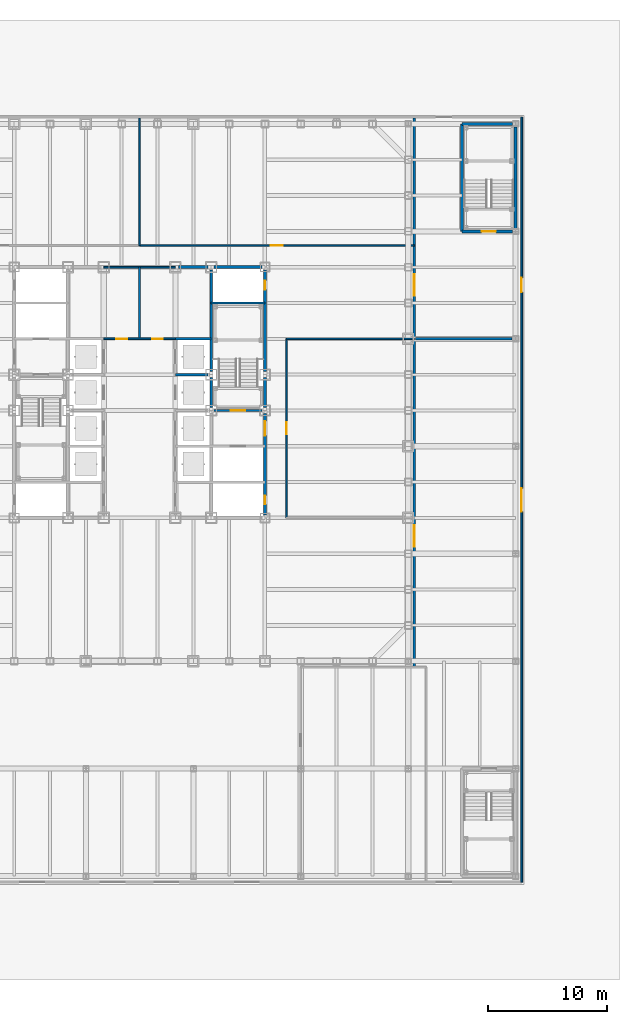
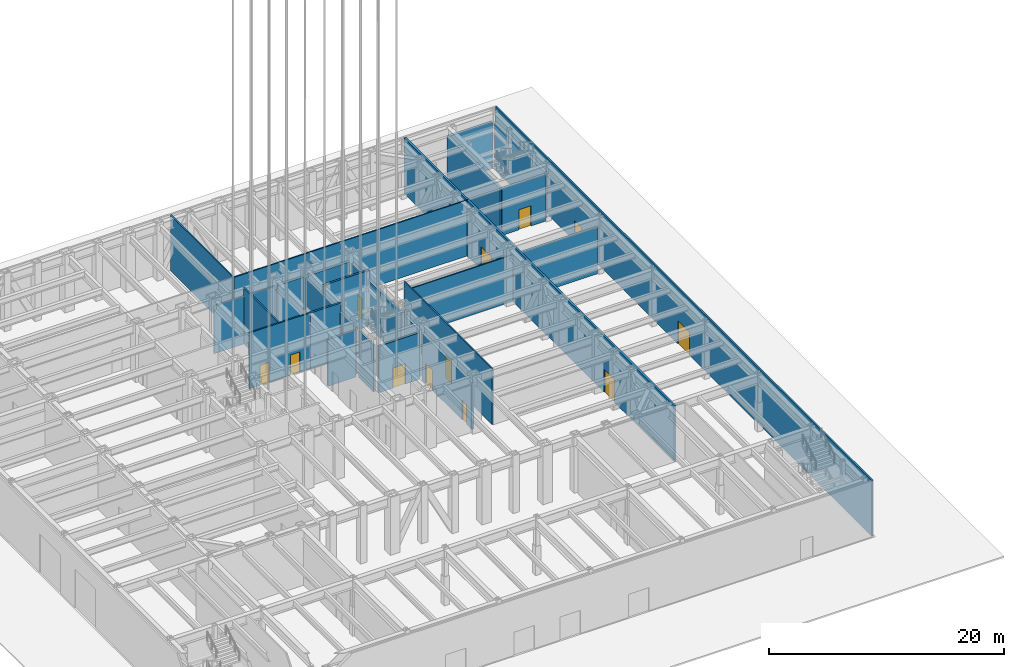
# One storey, part 9 of 35: 25 walls, 13 doors, 13 openings.
"""IFC4 building model written with IfcOpenShell, lengths in metres."""

import ifcopenshell
import ifcopenshell.guid

model = None  # the IFC model being written
_history = None  # IfcOwnerHistory: only IFC2X3 demands one
_inside = {}  # id of a spatial element -> (the spatial element, [elements in it])
_under = {}  # id of a project, library or spatial element -> (it, [spatial elements below it])
_declared = {}  # id of a project -> (the project, [libraries it declares])
_typed = {}  # id of a type object -> (the type object, [elements of that type])
_made_of = {}  # id of a material, layer set ... -> (it, [elements and type objects made of it])


def new_model(schema):
    """Start an empty IFC model of exactly this schema.

    Asked for "IFC4X3", IfcOpenShell would pick the latest addendum, in which some entities
    have other attributes; the version numbers below select the first issue.
    IFC2X3 requires an IfcOwnerHistory on every rooted entity: one is made here for all.
    """
    global model, _history
    if schema == "IFC4X3":
        model = ifcopenshell.file(schema_version=(4, 3, 0, 0))
    else:
        model = ifcopenshell.file(schema=schema)
    _inside.clear()
    _under.clear()
    _declared.clear()
    _typed.clear()
    _made_of.clear()
    _history = None
    if model.schema == "IFC2X3":
        org = make("IfcOrganization", Name="unknown")
        user = make(
            "IfcPersonAndOrganization",
            ThePerson=make("IfcPerson", FamilyName="unknown"),
            TheOrganization=org,
        )
        app = make(
            "IfcApplication",
            ApplicationDeveloper=org,
            Version="unknown",
            ApplicationFullName="unknown",
            ApplicationIdentifier="unknown",
        )
        _history = make(
            "IfcOwnerHistory",
            OwningUser=user,
            OwningApplication=app,
            ChangeAction="ADDED",
            CreationDate=0,
        )
    return model


def make(cls, **values):
    """One entity of the class cls with the attributes given. An attribute that is None is left unset."""
    return model.create_entity(
        cls, **{name: value for name, value in values.items() if value is not None}
    )


def rooted(cls, **values):
    """An entity with a GlobalId (a new one), such as an element, a storey or a relation."""
    return make(cls, GlobalId=ifcopenshell.guid.new(), OwnerHistory=_history, **values)


def si_unit(unit_type, name, prefix=None):
    """IfcSIUnit, for example si_unit("LENGTHUNIT", "METRE", prefix="MILLI")."""
    return make("IfcSIUnit", UnitType=unit_type, Prefix=prefix, Name=name)


def assignment(units):
    """IfcUnitAssignment: the units of a project."""
    return None if units is None else make("IfcUnitAssignment", Units=units)


def point(xyz):
    """IfcCartesianPoint."""
    return None if xyz is None else make("IfcCartesianPoint", Coordinates=xyz)


def direction(xyz):
    """IfcDirection."""
    return None if xyz is None else make("IfcDirection", DirectionRatios=xyz)


def frame(location, z_axis=None, x_axis=None):
    """IfcAxis2Placement3D, a coordinate frame: its origin and axes. An axis left out is left unset."""
    return make(
        "IfcAxis2Placement3D",
        Location=point(location),
        Axis=direction(z_axis),
        RefDirection=direction(x_axis),
    )


def frame_2d(location, x_axis=None):
    """IfcAxis2Placement2D, a coordinate frame in the plane: its origin and x axis."""
    return make(
        "IfcAxis2Placement2D", Location=point(location), RefDirection=direction(x_axis)
    )


def origin():
    """The frame at (0, 0, 0) with its axes left unset."""
    return frame((0.0, 0.0, 0.0))


def place(relative_to, where):
    """IfcLocalPlacement: puts the frame where relative to a parent placement (None: the world)."""
    return make(
        "IfcLocalPlacement", PlacementRelTo=relative_to, RelativePlacement=where
    )


def context(
    kind, dimensions, precision=None, world=None, true_north=None, identifier=None
):
    """IfcGeometricRepresentationContext, for example the 3D "Model" context."""
    return make(
        "IfcGeometricRepresentationContext",
        ContextIdentifier=identifier,
        ContextType=kind,
        CoordinateSpaceDimension=dimensions,
        Precision=precision,
        WorldCoordinateSystem=world,
        TrueNorth=true_north,
    )


def subcontext(parent, identifier, kind, view, scale=None):
    """IfcGeometricRepresentationSubContext, for example "Body" below "Model"."""
    return make(
        "IfcGeometricRepresentationSubContext",
        ContextIdentifier=identifier,
        ContextType=kind,
        ParentContext=parent,
        TargetScale=scale,
        TargetView=view,
    )


def project(units=None, contexts=None):
    """IfcProject with its units and contexts."""
    return rooted(
        "IfcProject",
        Name="project",
        RepresentationContexts=contexts,
        UnitsInContext=assignment(units),
    )


def spatial(cls, under=None, at=None, **own):
    """A site, building, storey or space (cls), placed at a placement, below another one or the project."""
    s = rooted(cls, ObjectPlacement=at, **own)
    if under is not None:
        _under.setdefault(under.id(), (under, []))[1].append(s)
    return s


def profile(cls, at=None, kind="AREA", **sizes):
    """A parametric profile (cls). Its sizes go by their IFC names, for example OverallWidth=200.0."""
    return make(cls, ProfileType=kind, Position=at, **sizes)


def rectangle(**sizes):
    """IfcRectangleProfileDef."""
    return profile("IfcRectangleProfileDef", **sizes)


def extrude(swept, where, along, depth):
    """IfcExtrudedAreaSolid: the profile swept, set in the frame where, extruded along a direction by depth."""
    return make(
        "IfcExtrudedAreaSolid",
        SweptArea=swept,
        Position=where,
        ExtrudedDirection=direction(along),
        Depth=depth,
    )


def shape(context_of_items, identifier, shape_type, items):
    """IfcShapeRepresentation: the items that make up one representation, for example the "Body"."""
    return make(
        "IfcShapeRepresentation",
        ContextOfItems=context_of_items,
        RepresentationIdentifier=identifier,
        RepresentationType=shape_type,
        Items=items,
    )


def material(Name=None, Category=None):
    """IfcMaterial."""
    return make("IfcMaterial", Name=Name, Category=Category)


def layer(
    of_material, thickness, ventilated=None, Name=None, Category=None, Priority=None
):
    """IfcMaterialLayer: one layer of a wall or slab, of a material (None: an air gap)."""
    return make(
        "IfcMaterialLayer",
        Material=of_material,
        LayerThickness=thickness,
        IsVentilated=ventilated,
        Name=Name,
        Category=Category,
        Priority=Priority,
    )


def layer_set(layers, Name=None):
    """IfcMaterialLayerSet."""
    return make("IfcMaterialLayerSet", MaterialLayers=layers, LayerSetName=Name)


def made_of(thing, what):
    """Note that an element or type object is made of a material, layer set ...; save() writes the relation."""
    if what is not None:
        _made_of.setdefault(what.id(), (what, []))[1].append(thing)
    return thing


def type_object(cls, material=None, **own):
    """A type object (cls), such as IfcWallType, which elements share."""
    return made_of(rooted(cls, **own), material)


def element(
    cls,
    number,
    at=None,
    inside=None,
    cuts=None,
    type_object=None,
    material=None,
    context=None,
    identifier="Body",
    shape_type=None,
    held_by="IfcProductDefinitionShape",
    body=None,
    shapes=None,
    **own,
):
    """One element of the class cls, such as IfcWall. Its Tag is "e" and its number.

    at: its placement. inside: the storey or other place that contains it. cuts: it is an
    opening in that element (IfcRelVoidsElement). A single representation is given by context,
    identifier, shape_type and body (its items); several are given by shapes. held_by: the class
    of the entity that holds the representations. save() writes the other relations.
    """
    e = rooted(cls, Tag="e%d" % number, ObjectPlacement=at, **own)
    if body is not None:
        shapes = [shape(context, identifier, shape_type, body)]
    if shapes is not None:
        e.Representation = make(held_by, Representations=shapes)
    if inside is not None:
        _inside.setdefault(inside.id(), (inside, []))[1].append(e)
    if cuts is not None:
        rooted(
            "IfcRelVoidsElement", RelatingBuildingElement=cuts, RelatedOpeningElement=e
        )
    if type_object is not None:
        _typed.setdefault(type_object.id(), (type_object, []))[1].append(e)
    return made_of(e, material)


def fill(opening, filler):
    """IfcRelFillsElement: the door or window that sits in an opening."""
    return rooted(
        "IfcRelFillsElement",
        RelatingOpeningElement=opening,
        RelatedBuildingElement=filler,
    )


def aggregate(whole, parts):
    """IfcRelAggregates: a whole, such as a stair, and the parts it consists of."""
    return rooted("IfcRelAggregates", RelatingObject=whole, RelatedObjects=parts)


def save(model, path):
    """Write the relations noted so far, then the file.

    IfcRelAggregates (storeys below a building ...), IfcRelContainedInSpatialStructure (elements
    in a storey), IfcRelDefinesByType, IfcRelAssociatesMaterial and IfcRelDeclares: one each for
    every whole, place, type object, material and project.
    """
    for whole, parts in _under.values():
        aggregate(whole, parts)
    for where, things in _inside.values():
        rooted(
            "IfcRelContainedInSpatialStructure",
            RelatedElements=things,
            RelatingStructure=where,
        )
    for kind, things in _typed.values():
        rooted("IfcRelDefinesByType", RelatedObjects=things, RelatingType=kind)
    for what, things in _made_of.values():
        rooted("IfcRelAssociatesMaterial", RelatedObjects=things, RelatingMaterial=what)
    for by, libraries in _declared.values():
        rooted("IfcRelDeclares", RelatingContext=by, RelatedDefinitions=libraries)
    model.write(path)


model = new_model("IFC4")

# Units and contexts
model_context = context("Model", 3, precision=1e-05, world=origin(), true_north=direction((0.0, 1.0)))
body_context = subcontext(model_context, "Body", "Model", "MODEL_VIEW")
ifc_project = project(units=[si_unit("LENGTHUNIT", "METRE"), si_unit("AREAUNIT", "SQUARE_METRE"), si_unit("VOLUMEUNIT", "CUBIC_METRE"), si_unit("PLANEANGLEUNIT", "RADIAN"), si_unit("MASSUNIT", "GRAM", prefix="KILO")], contexts=[model_context])

# Site, building, storey
site_placement = place(None, origin())
site = spatial("IfcSite", under=ifc_project, at=site_placement, CompositionType="ELEMENT")
building_placement = place(site_placement, origin())
building = spatial("IfcBuilding", under=site, at=building_placement, Name="Chuquiago Exchange Tower", CompositionType="ELEMENT")
storey_placement = place(building_placement, origin())
storey = spatial("IfcBuildingStorey", under=building, at=storey_placement, Name="L00", CompositionType="ELEMENT", Elevation=0.0)

# Walls
ifc_material_1 = material(Name="Concrete masonry, fully grouted", Category="masonry")
ifc_layer_1 = layer(ifc_material_1, 0.25)
ifc_layer_set_1 = layer_set([ifc_layer_1], Name="W1 core wall 250")
wall_type_1 = type_object("IfcWallType", Name="W1 core wall 250", PredefinedType="SOLIDWALL", material=ifc_layer_set_1)
wall_1_placement = place(storey_placement, frame((25.75, 33.0, 0.0), z_axis=(0.0, 0.0, 1.0), x_axis=(1.0, 0.0, 0.0)))
element("IfcWall", 1, at=wall_1_placement, inside=storey, type_object=wall_type_1, Name="CW-L00-12-0", PredefinedType="SOLIDWALL", context=body_context, shape_type="SweptSolid", body=[
    extrude(rectangle(XDim=2.5, YDim=0.25, at=frame_2d((1.25, 0.0))), origin(), (0.0, 0.0, 1.0), 4.94140625),
])
wall_2_placement = place(storey_placement, frame((28.75, 33.0, 0.0), z_axis=(0.0, 0.0, 1.0), x_axis=(1.0, 0.0, 0.0)))
element("IfcWall", 2, at=wall_2_placement, inside=storey, type_object=wall_type_1, Name="CW-L00-12-1", PredefinedType="SOLIDWALL", context=body_context, shape_type="SweptSolid", body=[
    extrude(rectangle(XDim=4.0, YDim=0.25, at=frame_2d((2.0, 0.0))), origin(), (0.0, 0.0, 1.0), 4.94140625),
])

# Wall, openings, doors
wall_3_placement = place(storey_placement, frame((33.0, 12.25, 0.0), z_axis=(0.0, 0.0, 1.0), x_axis=(0.0, 1.0, 0.0)))
wall_3 = element("IfcWall", 3, at=wall_3_placement, inside=storey, type_object=wall_type_1, Name="CW-L00-25-0", PredefinedType="SOLIDWALL", context=body_context, shape_type="SweptSolid", body=[
    extrude(rectangle(XDim=8.5, YDim=0.25, at=frame_2d((4.25, 0.0))), origin(), (0.0, 0.0, 1.0), 4.872802734375),
])
opening_1_placement = place(wall_3_placement, frame((6.64990234375, 0.0, 0.0)))
opening_1 = element("IfcOpeningElement", 4, at=opening_1_placement, cuts=wall_3, Name="Opening L00-004", PredefinedType="OPENING", context=body_context, shape_type="SweptSolid", body=[
    extrude(rectangle(XDim=1.199951171875, YDim=2.10009765625, at=frame_2d((0.60009765625, 1.050048828125))), frame((0.0, 0.135009765625, 0.0), z_axis=(0.0, -1.0, 0.0), x_axis=(1.0, 0.0, 0.0)), (0.0, 0.0, 1.0), 0.27001953125),
])
opening_2_placement = place(wall_3_placement, frame((0.875, 0.0, 0.0)))
opening_2 = element("IfcOpeningElement", 5, at=opening_2_placement, cuts=wall_3, Name="Opening L00-009", PredefinedType="OPENING", context=body_context, shape_type="SweptSolid", body=[
    extrude(rectangle(XDim=0.75, YDim=2.10009765625, at=frame_2d((0.375, 1.050048828125))), frame((0.0, 0.135009765625, 0.0), z_axis=(0.0, -1.0, 0.0), x_axis=(1.0, 0.0, 0.0)), (0.0, 0.0, 1.0), 0.27001953125),
])
ifc_material_2 = material(Name="Steel door, painted", Category="steel")
door_type_1 = type_object("IfcDoorType", Name="D5 firefighting lobby door 1200x2100", OperationType="SINGLE_SWING_LEFT", PredefinedType="DOOR", material=ifc_material_2)
door_1_placement = place(opening_1_placement, frame((1.199951171875, 0.0, 0.0), z_axis=(0.0, 0.0, 1.0), x_axis=(-1.0, 0.0, 0.0)))
door_1 = element("IfcDoor", 6, at=door_1_placement, inside=storey, type_object=door_type_1, Name="Firefighting lobby 2 door", OperationType="SINGLE_SWING_LEFT", OverallHeight=2.10009765625, OverallWidth=1.199951171875, PredefinedType="DOOR", context=body_context, shape_type="SweptSolid", body=[
    extrude(rectangle(XDim=1.199951171875, YDim=2.10009765625, at=frame_2d((0.60009765625, 1.050048828125))), frame((0.0, 0.02490234375, 0.0), z_axis=(0.0, -1.0, 0.0), x_axis=(1.0, 0.0, 0.0)), (0.0, 0.0, 1.0), 0.050048828125),
])
fill(opening_1, door_1)
ifc_material_3 = material(Name="Steel door, painted", Category="steel")
door_type_2 = type_object("IfcDoorType", Name="D6 riser access door 750x2100", OperationType="SINGLE_SWING_LEFT", PredefinedType="DOOR", material=ifc_material_3)
door_2_placement = place(opening_2_placement, origin())
door_2 = element("IfcDoor", 7, at=door_2_placement, inside=storey, type_object=door_type_2, Name="Riser RE1 door", OperationType="SINGLE_SWING_LEFT", OverallHeight=2.10009765625, OverallWidth=0.75, PredefinedType="DOOR", context=body_context, shape_type="SweptSolid", body=[
    extrude(rectangle(XDim=0.75, YDim=2.10009765625, at=frame_2d((0.375, 1.050048828125))), frame((0.0, 0.02490234375, 0.0), z_axis=(0.0, -1.0, 0.0), x_axis=(1.0, 0.0, 0.0)), (0.0, 0.0, 1.0), 0.050048828125),
])
fill(opening_2, door_2)

# Wall
wall_4_placement = place(storey_placement, frame((33.0, 21.25, 0.0), z_axis=(0.0, 0.0, 1.0), x_axis=(0.0, 1.0, 0.0)))
element("IfcWall", 8, at=wall_4_placement, inside=storey, type_object=wall_type_1, Name="CW-L00-25-1", PredefinedType="SOLIDWALL", context=body_context, shape_type="SweptSolid", body=[
    extrude(rectangle(XDim=2.5, YDim=0.25, at=frame_2d((1.25, 0.0))), origin(), (0.0, 0.0, 1.0), 4.872802734375),
])

# Wall, opening, door
wall_5_placement = place(storey_placement, frame((33.0, 24.25, 0.0), z_axis=(0.0, 0.0, 1.0), x_axis=(0.0, 1.0, 0.0)))
wall_5 = element("IfcWall", 9, at=wall_5_placement, inside=storey, type_object=wall_type_1, Name="CW-L00-25-2", PredefinedType="SOLIDWALL", context=body_context, shape_type="SweptSolid", body=[
    extrude(rectangle(XDim=8.5, YDim=0.25, at=frame_2d((4.25, 0.0))), origin(), (0.0, 0.0, 1.0), 4.872802734375),
])
opening_3_placement = place(wall_5_placement, frame((6.875, 0.0, 0.0)))
opening_3 = element("IfcOpeningElement", 10, at=opening_3_placement, cuts=wall_5, Name="Opening L00-010", PredefinedType="OPENING", context=body_context, shape_type="SweptSolid", body=[
    extrude(rectangle(XDim=0.75, YDim=2.10009765625, at=frame_2d((0.375, 1.050048828125))), frame((0.0, 0.135009765625, 0.0), z_axis=(0.0, -1.0, 0.0), x_axis=(1.0, 0.0, 0.0)), (0.0, 0.0, 1.0), 0.27001953125),
])
door_3_placement = place(opening_3_placement, frame((0.75, 0.0, 0.0), z_axis=(0.0, 0.0, 1.0), x_axis=(-1.0, 0.0, 0.0)))
door_3 = element("IfcDoor", 11, at=door_3_placement, inside=storey, type_object=door_type_2, Name="Riser RE2 door", OperationType="SINGLE_SWING_LEFT", OverallHeight=2.10009765625, OverallWidth=0.75, PredefinedType="DOOR", context=body_context, shape_type="SweptSolid", body=[
    extrude(rectangle(XDim=0.75, YDim=2.10009765625, at=frame_2d((0.375, 1.050048828125))), frame((0.0, 0.02490234375, 0.0), z_axis=(0.0, -1.0, 0.0), x_axis=(1.0, 0.0, 0.0)), (0.0, 0.0, 1.0), 0.050048828125),
])
fill(opening_3, door_3)

ifc_material_4 = material(Name="Concrete masonry, fully grouted", Category="masonry")
ifc_layer_2 = layer(ifc_material_4, 0.25)
ifc_layer_set_2 = layer_set([ifc_layer_2], Name="W10 podium stair wall 250")
wall_type_2 = type_object("IfcWallType", Name="W10 podium stair wall 250", PredefinedType="SOLIDWALL", material=ifc_layer_set_2)
wall_6_placement = place(storey_placement, frame((49.5, 36.0, 0.0), z_axis=(0.0, 0.0, 1.0), x_axis=(1.0, 0.0, 0.0)))
wall_6 = element("IfcWall", 12, at=wall_6_placement, inside=storey, type_object=wall_type_2, Name="PSW-L00-PS4-00", PredefinedType="SOLIDWALL", context=body_context, shape_type="SweptSolid", body=[
    extrude(rectangle(XDim=4.25, YDim=0.25, at=frame_2d((2.125, 0.0))), origin(), (0.0, 0.0, 1.0), 4.8525390625),
])
opening_4_placement = place(wall_6_placement, frame((1.64990234375, 0.0, 0.0)))
opening_4 = element("IfcOpeningElement", 13, at=opening_4_placement, cuts=wall_6, Name="Opening L00-037", PredefinedType="OPENING", context=body_context, shape_type="SweptSolid", body=[
    extrude(rectangle(XDim=1.199951171875, YDim=2.10009765625, at=frame_2d((0.60009765625, 1.050048828125))), frame((0.0, 0.135009765625, 0.0), z_axis=(0.0, -1.0, 0.0), x_axis=(1.0, 0.0, 0.0)), (0.0, 0.0, 1.0), 0.27001953125),
])
ifc_material_5 = material(Name="Steel door, painted", Category="steel")
door_type_3 = type_object("IfcDoorType", Name="D4 stair door 1200x2100", OperationType="SINGLE_SWING_LEFT", PredefinedType="DOOR", material=ifc_material_5)
door_4_placement = place(opening_4_placement, frame((1.199951171875, 0.0, 0.0), z_axis=(0.0, 0.0, 1.0), x_axis=(-1.0, 0.0, 0.0)))
door_4 = element("IfcDoor", 14, at=door_4_placement, inside=storey, type_object=door_type_3, Name="Stair PS4 door", OperationType="SINGLE_SWING_LEFT", OverallHeight=2.10009765625, OverallWidth=1.199951171875, PredefinedType="DOOR", context=body_context, shape_type="SweptSolid", body=[
    extrude(rectangle(XDim=1.199951171875, YDim=2.10009765625, at=frame_2d((0.60009765625, 1.050048828125))), frame((0.0, 0.02490234375, 0.0), z_axis=(0.0, -1.0, 0.0), x_axis=(1.0, 0.0, 0.0)), (0.0, 0.0, 1.0), 0.050048828125),
])
fill(opening_4, door_4)

# Walls
wall_7_placement = place(storey_placement, frame((54.0, 36.25, 0.0), z_axis=(0.0, 0.0, 1.0), x_axis=(0.0, 1.0, 0.0)))
element("IfcWall", 15, at=wall_7_placement, inside=storey, type_object=wall_type_2, Name="PSW-L00-PS4-10", PredefinedType="SOLIDWALL", context=body_context, shape_type="SweptSolid", body=[
    extrude(rectangle(XDim=8.5, YDim=0.25, at=frame_2d((4.25, 0.0))), origin(), (0.0, 0.0, 1.0), 4.8525390625),
])
wall_8_placement = place(storey_placement, frame((49.5, 45.0, 0.0), z_axis=(0.0, 0.0, 1.0), x_axis=(1.0, 0.0, 0.0)))
element("IfcWall", 16, at=wall_8_placement, inside=storey, type_object=wall_type_2, Name="PSW-L00-PS4-20", PredefinedType="SOLIDWALL", context=body_context, shape_type="SweptSolid", body=[
    extrude(rectangle(XDim=4.25, YDim=0.25, at=frame_2d((2.125, 0.0))), origin(), (0.0, 0.0, 1.0), 4.8525390625),
])
wall_9_placement = place(storey_placement, frame((49.5, 36.0, 0.0), z_axis=(0.0, 0.0, 1.0), x_axis=(0.0, 1.0, 0.0)))
element("IfcWall", 17, at=wall_9_placement, inside=storey, type_object=wall_type_2, Name="PSW-L00-PS4-30", PredefinedType="SOLIDWALL", context=body_context, shape_type="SweptSolid", body=[
    extrude(rectangle(XDim=9.0, YDim=0.25, at=frame_2d((4.5, 0.0))), origin(), (0.0, 0.0, 1.0), 4.8525390625),
])
ifc_material_6 = material(Name="Concrete masonry, fully grouted", Category="masonry")
ifc_layer_3 = layer(ifc_material_6, 0.199951171875)
ifc_layer_set_3 = layer_set([ifc_layer_3], Name="W2 shaft wall 200")
wall_type_3 = type_object("IfcWallType", Name="W2 shaft wall 200", PredefinedType="SOLIDWALL", material=ifc_layer_set_3)
wall_10_placement = place(storey_placement, frame((25.5, 24.0, 0.0), z_axis=(0.0, 0.0, 1.0), x_axis=(1.0, 0.0, 0.0)))
element("IfcWall", 18, at=wall_10_placement, inside=storey, type_object=wall_type_3, Name="CW-L00-06-0", PredefinedType="SOLIDWALL", context=body_context, shape_type="SweptSolid", body=[
    extrude(rectangle(XDim=2.75, YDim=0.199951171875, at=frame_2d((1.375, 0.0))), origin(), (0.0, 0.0, 1.0), 4.85009765625),
])
wall_11_placement = place(storey_placement, frame((25.5, 27.0, 0.0), z_axis=(0.0, 0.0, 1.0), x_axis=(1.0, 0.0, 0.0)))
element("IfcWall", 19, at=wall_11_placement, inside=storey, type_object=wall_type_3, Name="CW-L00-08-0", PredefinedType="SOLIDWALL", context=body_context, shape_type="SweptSolid", body=[
    extrude(rectangle(XDim=3.0, YDim=0.199951171875, at=frame_2d((1.5, 0.0))), origin(), (0.0, 0.0, 1.0), 5.800048828125),
])
wall_12_placement = place(storey_placement, frame((28.5, 30.0, 0.0), z_axis=(0.0, 0.0, 1.0), x_axis=(1.0, 0.0, 0.0)))
element("IfcWall", 20, at=wall_12_placement, inside=storey, type_object=wall_type_3, Name="CW-L00-10-0", PredefinedType="SOLIDWALL", context=body_context, shape_type="SweptSolid", body=[
    extrude(rectangle(XDim=4.5, YDim=0.199951171875, at=frame_2d((2.25, 0.0))), origin(), (0.0, 0.0, 1.0), 5.800048828125),
])

# Wall, opening, door
wall_13_placement = place(storey_placement, frame((28.75, 21.0, 0.0), z_axis=(0.0, 0.0, 1.0), x_axis=(1.0, 0.0, 0.0)))
wall_13 = element("IfcWall", 21, at=wall_13_placement, inside=storey, type_object=wall_type_3, Name="CW-L00-17-1", PredefinedType="SOLIDWALL", context=body_context, shape_type="SweptSolid", body=[
    extrude(rectangle(XDim=4.0, YDim=0.199951171875, at=frame_2d((2.0, 0.0))), origin(), (0.0, 0.0, 1.0), 4.85009765625),
])
opening_5_placement = place(wall_13_placement, frame((1.39990234375, 0.0, 0.0)))
opening_5 = element("IfcOpeningElement", 22, at=opening_5_placement, cuts=wall_13, Name="Opening L00-003", PredefinedType="OPENING", context=body_context, shape_type="SweptSolid", body=[
    extrude(rectangle(XDim=1.199951171875, YDim=2.10009765625, at=frame_2d((0.60009765625, 1.050048828125))), frame((0.0, 0.10986328125, 0.0), z_axis=(0.0, -1.0, 0.0), x_axis=(1.0, 0.0, 0.0)), (0.0, 0.0, 1.0), 0.219970703125),
])
door_5_placement = place(opening_5_placement, frame((1.199951171875, 0.0, 0.0), z_axis=(0.0, 0.0, 1.0), x_axis=(-1.0, 0.0, 0.0)))
door_5 = element("IfcDoor", 23, at=door_5_placement, inside=storey, type_object=door_type_3, Name="Stair ST2 door", OperationType="SINGLE_SWING_RIGHT", OverallHeight=2.10009765625, OverallWidth=1.199951171875, PredefinedType="DOOR", context=body_context, shape_type="SweptSolid", body=[
    extrude(rectangle(XDim=1.199951171875, YDim=2.10009765625, at=frame_2d((0.60009765625, 1.050048828125))), frame((0.0, 0.02490234375, 0.0), z_axis=(0.0, -1.0, 0.0), x_axis=(1.0, 0.0, 0.0)), (0.0, 0.0, 1.0), 0.050048828125),
])
fill(opening_5, door_5)

# Walls
wall_14_placement = place(storey_placement, frame((28.5, 21.25, 0.0), z_axis=(0.0, 0.0, 1.0), x_axis=(0.0, 1.0, 0.0)))
element("IfcWall", 24, at=wall_14_placement, inside=storey, type_object=wall_type_3, Name="CW-L00-24-1", PredefinedType="SOLIDWALL", context=body_context, shape_type="SweptSolid", body=[
    extrude(rectangle(XDim=2.5, YDim=0.199951171875, at=frame_2d((1.25, 0.0))), origin(), (0.0, 0.0, 1.0), 4.872802734375),
])
wall_15_placement = place(storey_placement, frame((28.5, 24.25, 0.0), z_axis=(0.0, 0.0, 1.0), x_axis=(0.0, 1.0, 0.0)))
element("IfcWall", 25, at=wall_15_placement, inside=storey, type_object=wall_type_3, Name="CW-L00-24-2", PredefinedType="SOLIDWALL", context=body_context, shape_type="SweptSolid", body=[
    extrude(rectangle(XDim=8.5, YDim=0.199951171875, at=frame_2d((4.25, 0.0))), origin(), (0.0, 0.0, 1.0), 4.872802734375),
])

# Wall, openings, doors
ifc_material_7 = material(Name="Gypsum board on steel studs", Category="steel")
ifc_layer_4 = layer(ifc_material_7, 0.14990234375)
ifc_layer_set_4 = layer_set([ifc_layer_4], Name="W3 core partition 150")
wall_type_4 = type_object("IfcWallType", Name="W3 core partition 150", PredefinedType="PARTITIONING", material=ifc_layer_set_4)
wall_16_placement = place(storey_placement, frame((19.5, 27.0, 0.0), z_axis=(0.0, 0.0, 1.0), x_axis=(1.0, 0.0, 0.0)))
wall_16 = element("IfcWall", 26, at=wall_16_placement, inside=storey, type_object=wall_type_4, Name="CW-L00-TF", PredefinedType="PARTITIONING", context=body_context, shape_type="SweptSolid", body=[
    extrude(rectangle(XDim=6.0, YDim=0.14990234375, at=frame_2d((3.0, 0.0))), origin(), (0.0, 0.0, 1.0), 5.800048828125),
])
opening_6_placement = place(wall_16_placement, frame((1.050048828125, 0.0, 0.0)))
opening_6 = element("IfcOpeningElement", 27, at=opening_6_placement, cuts=wall_16, Name="Opening L00-011", PredefinedType="OPENING", context=body_context, shape_type="SweptSolid", body=[
    extrude(rectangle(XDim=0.89990234375, YDim=2.10009765625, at=frame_2d((0.449951171875, 1.050048828125))), frame((0.0, 0.0849609375, 0.0), z_axis=(0.0, -1.0, 0.0), x_axis=(1.0, 0.0, 0.0)), (0.0, 0.0, 1.0), 0.169921875),
])
opening_7_placement = place(wall_16_placement, frame((4.050048828125, 0.0, 0.0)))
opening_7 = element("IfcOpeningElement", 28, at=opening_7_placement, cuts=wall_16, Name="Opening L00-012", PredefinedType="OPENING", context=body_context, shape_type="SweptSolid", body=[
    extrude(rectangle(XDim=0.89990234375, YDim=2.10009765625, at=frame_2d((0.449951171875, 1.050048828125))), frame((0.0, 0.0849609375, 0.0), z_axis=(0.0, -1.0, 0.0), x_axis=(1.0, 0.0, 0.0)), (0.0, 0.0, 1.0), 0.169921875),
])
ifc_material_8 = material(Name="Timber door, laminate faced", Category="wood")
door_type_4 = type_object("IfcDoorType", Name="D7 toilet door 900x2100", OperationType="SINGLE_SWING_LEFT", PredefinedType="DOOR", material=ifc_material_8)
door_6_placement = place(opening_6_placement, origin())
door_6 = element("IfcDoor", 29, at=door_6_placement, inside=storey, type_object=door_type_4, Name="Male WC door", OperationType="SINGLE_SWING_RIGHT", OverallHeight=2.10009765625, OverallWidth=0.89990234375, PredefinedType="DOOR", context=body_context, shape_type="SweptSolid", body=[
    extrude(rectangle(XDim=0.89990234375, YDim=2.10009765625, at=frame_2d((0.449951171875, 1.050048828125))), frame((0.0, 0.02490234375, 0.0), z_axis=(0.0, -1.0, 0.0), x_axis=(1.0, 0.0, 0.0)), (0.0, 0.0, 1.0), 0.050048828125),
])
fill(opening_6, door_6)
door_7_placement = place(opening_7_placement, origin())
door_7 = element("IfcDoor", 30, at=door_7_placement, inside=storey, type_object=door_type_4, Name="Female WC door", OperationType="SINGLE_SWING_LEFT", OverallHeight=2.10009765625, OverallWidth=0.89990234375, PredefinedType="DOOR", context=body_context, shape_type="SweptSolid", body=[
    extrude(rectangle(XDim=0.89990234375, YDim=2.10009765625, at=frame_2d((0.449951171875, 1.050048828125))), frame((0.0, 0.02490234375, 0.0), z_axis=(0.0, -1.0, 0.0), x_axis=(1.0, 0.0, 0.0)), (0.0, 0.0, 1.0), 0.050048828125),
])
fill(opening_7, door_7)

# Walls
wall_17_placement = place(storey_placement, frame((22.5, 27.0, 0.0), z_axis=(0.0, 0.0, 1.0), x_axis=(0.0, 1.0, 0.0)))
element("IfcWall", 31, at=wall_17_placement, inside=storey, type_object=wall_type_4, Name="CW-L00-TM", PredefinedType="PARTITIONING", context=body_context, shape_type="SweptSolid", body=[
    extrude(rectangle(XDim=6.0, YDim=0.14990234375, at=frame_2d((3.0, 0.0))), origin(), (0.0, 0.0, 1.0), 5.800048828125),
])
wall_18_placement = place(storey_placement, frame((19.5, 33.0, 0.0), z_axis=(0.0, 0.0, 1.0), x_axis=(1.0, 0.0, 0.0)))
element("IfcWall", 32, at=wall_18_placement, inside=storey, type_object=wall_type_4, Name="CW-L00-TB", PredefinedType="PARTITIONING", context=body_context, shape_type="SweptSolid", body=[
    extrude(rectangle(XDim=6.0, YDim=0.14990234375, at=frame_2d((3.0, 0.0))), origin(), (0.0, 0.0, 1.0), 4.94140625),
])

# Wall, opening, door
ifc_material_9 = material(Name="Gypsum board on steel studs", Category="steel")
ifc_layer_5 = layer(ifc_material_9, 0.1201171875)
ifc_layer_set_5 = layer_set([ifc_layer_5], Name="W4 partition 120")
wall_type_5 = type_object("IfcWallType", Name="W4 partition 120", PredefinedType="PARTITIONING", material=ifc_layer_set_5)
wall_19_placement = place(storey_placement, frame((22.5, 34.800048828125, 0.0), z_axis=(0.0, 0.0, 1.0), x_axis=(1.0, 0.0, 0.0)))
wall_19 = element("IfcWall", 33, at=wall_19_placement, inside=storey, type_object=wall_type_5, Name="PW-L00-P1", PredefinedType="PARTITIONING", context=body_context, shape_type="SweptSolid", body=[
    extrude(rectangle(XDim=23.0, YDim=0.1201171875, at=frame_2d((11.5, 0.0))), origin(), (0.0, 0.0, 1.0), 5.800048828125),
])
opening_8_placement = place(wall_19_placement, frame((11.0, 0.0, 0.0)))
opening_8 = element("IfcOpeningElement", 34, at=opening_8_placement, cuts=wall_19, Name="Opening L00-025", PredefinedType="OPENING", context=body_context, shape_type="SweptSolid", body=[
    extrude(rectangle(XDim=1.0, YDim=2.39990234375, at=frame_2d((0.5, 1.199951171875))), frame((0.0, 0.070068359375, 0.0), z_axis=(0.0, -1.0, 0.0), x_axis=(1.0, 0.0, 0.0)), (0.0, 0.0, 1.0), 0.14013671875),
])
ifc_material_10 = material(Name="Timber door, laminate faced", Category="wood")
door_type_5 = type_object("IfcDoorType", Name="D9 room door 1000x2400", OperationType="SINGLE_SWING_LEFT", PredefinedType="DOOR", material=ifc_material_10)
door_8_placement = place(opening_8_placement, origin())
door_8 = element("IfcDoor", 35, at=door_8_placement, inside=storey, type_object=door_type_5, Name="Member services office door", OperationType="SINGLE_SWING_LEFT", OverallHeight=2.39990234375, OverallWidth=1.0, PredefinedType="DOOR", context=body_context, shape_type="SweptSolid", body=[
    extrude(rectangle(XDim=1.0, YDim=2.39990234375, at=frame_2d((0.5, 1.199951171875))), frame((0.0, 0.02490234375, 0.0), z_axis=(0.0, -1.0, 0.0), x_axis=(1.0, 0.0, 0.0)), (0.0, 0.0, 1.0), 0.050048828125),
])
fill(opening_8, door_8)

wall_20_placement = place(storey_placement, frame((34.800048828125, 12.0, 0.0), z_axis=(0.0, 0.0, 1.0), x_axis=(0.0, 1.0, 0.0)))
wall_20 = element("IfcWall", 36, at=wall_20_placement, inside=storey, type_object=wall_type_5, Name="PW-L00-P2", PredefinedType="PARTITIONING", context=body_context, shape_type="SweptSolid", body=[
    extrude(rectangle(XDim=15.0, YDim=0.1201171875, at=frame_2d((7.5, 0.0))), origin(), (0.0, 0.0, 1.0), 5.800048828125),
])
opening_9_placement = place(wall_20_placement, frame((7.0, 0.0, 0.0)))
opening_9 = element("IfcOpeningElement", 37, at=opening_9_placement, cuts=wall_20, Name="Opening L00-026", PredefinedType="OPENING", context=body_context, shape_type="SweptSolid", body=[
    extrude(rectangle(XDim=1.0, YDim=2.39990234375, at=frame_2d((0.5, 1.199951171875))), frame((0.0, 0.070068359375, 0.0), z_axis=(0.0, -1.0, 0.0), x_axis=(1.0, 0.0, 0.0)), (0.0, 0.0, 1.0), 0.14013671875),
])
door_9_placement = place(opening_9_placement, origin())
door_9 = element("IfcDoor", 38, at=door_9_placement, inside=storey, type_object=door_type_5, Name="Exchange shop door", OperationType="SINGLE_SWING_LEFT", OverallHeight=2.39990234375, OverallWidth=1.0, PredefinedType="DOOR", context=body_context, shape_type="SweptSolid", body=[
    extrude(rectangle(XDim=1.0, YDim=2.39990234375, at=frame_2d((0.5, 1.199951171875))), frame((0.0, 0.02490234375, 0.0), z_axis=(0.0, -1.0, 0.0), x_axis=(1.0, 0.0, 0.0)), (0.0, 0.0, 1.0), 0.050048828125),
])
fill(opening_9, door_9)

# Walls
wall_21_placement = place(storey_placement, frame((22.5, 34.800048828125, 0.0), z_axis=(0.0, 0.0, 1.0), x_axis=(0.0, 1.0, 0.0)))
element("IfcWall", 39, at=wall_21_placement, inside=storey, type_object=wall_type_5, Name="PW-L00-Q0", PredefinedType="PARTITIONING", context=body_context, shape_type="SweptSolid", body=[
    extrude(rectangle(XDim=10.679931640625, YDim=0.1201171875, at=frame_2d((5.33984375, 0.0))), origin(), (0.0, 0.0, 1.0), 5.800048828125),
])
wall_22_placement = place(storey_placement, frame((34.800048828125, 27.0, 0.0), z_axis=(0.0, 0.0, 1.0), x_axis=(1.0, 0.0, 0.0)))
element("IfcWall", 40, at=wall_22_placement, inside=storey, type_object=wall_type_5, Name="PW-L00-Q2", PredefinedType="PARTITIONING", context=body_context, shape_type="SweptSolid", body=[
    extrude(rectangle(XDim=10.699951171875, YDim=0.1201171875, at=frame_2d((5.35009765625, 0.0))), origin(), (0.0, 0.0, 1.0), 4.8525390625),
])

# Wall, openings, doors
ifc_material_11 = material(Name="Gypsum board on steel studs, double layer", Category="steel")
ifc_layer_6 = layer(ifc_material_11, 0.199951171875)
ifc_layer_set_6 = layer_set([ifc_layer_6], Name="W6 wing partition 200")
wall_type_6 = type_object("IfcWallType", Name="W6 wing partition 200", PredefinedType="PARTITIONING", material=ifc_layer_set_6)
wall_23_placement = place(storey_placement, frame((45.5, -0.5, 0.0), z_axis=(0.0, 0.0, 1.0), x_axis=(0.0, 1.0, 0.0)))
wall_23 = element("IfcWall", 41, at=wall_23_placement, inside=storey, type_object=wall_type_6, Name="WW-L00-E", PredefinedType="PARTITIONING", context=body_context, shape_type="SweptSolid", body=[
    extrude(rectangle(XDim=45.97998046875, YDim=0.199951171875, at=frame_2d((22.989990234375, 0.0))), origin(), (0.0, 0.0, 1.0), 5.800048828125),
])
opening_10_placement = place(wall_23_placement, frame((10.10009765625, 0.0, 0.0)))
opening_10 = element("IfcOpeningElement", 42, at=opening_10_placement, cuts=wall_23, Name="Opening L00-032", PredefinedType="OPENING", context=body_context, shape_type="SweptSolid", body=[
    extrude(rectangle(XDim=1.800048828125, YDim=2.39990234375, at=frame_2d((0.89990234375, 1.199951171875))), frame((0.0, 0.10986328125, 0.0), z_axis=(0.0, -1.0, 0.0), x_axis=(1.0, 0.0, 0.0)), (0.0, 0.0, 1.0), 0.219970703125),
])
opening_11_placement = place(wall_23_placement, frame((31.10009765625, 0.0, 0.0)))
opening_11 = element("IfcOpeningElement", 43, at=opening_11_placement, cuts=wall_23, Name="Opening L00-033", PredefinedType="OPENING", context=body_context, shape_type="SweptSolid", body=[
    extrude(rectangle(XDim=1.800048828125, YDim=2.39990234375, at=frame_2d((0.89990234375, 1.199951171875))), frame((0.0, 0.10986328125, 0.0), z_axis=(0.0, -1.0, 0.0), x_axis=(1.0, 0.0, 0.0)), (0.0, 0.0, 1.0), 0.219970703125),
])
ifc_material_12 = material(Name="Timber door, laminate faced", Category="wood")
door_type_6 = type_object("IfcDoorType", Name="D10 double door 1800x2400", OperationType="DOUBLE_DOOR_DOUBLE_SWING", PredefinedType="DOOR", material=ifc_material_12)
door_10_placement = place(opening_10_placement, origin())
door_10 = element("IfcDoor", 44, at=door_10_placement, inside=storey, type_object=door_type_6, Name="Cafe door", OperationType="DOUBLE_DOOR_DOUBLE_SWING", OverallHeight=2.39990234375, OverallWidth=1.800048828125, PredefinedType="DOOR", context=body_context, shape_type="SweptSolid", body=[
    extrude(rectangle(XDim=1.800048828125, YDim=2.39990234375, at=frame_2d((0.89990234375, 1.199951171875))), frame((0.0, 0.02490234375, 0.0), z_axis=(0.0, -1.0, 0.0), x_axis=(1.0, 0.0, 0.0)), (0.0, 0.0, 1.0), 0.050048828125),
])
fill(opening_10, door_10)
door_11_placement = place(opening_11_placement, origin())
door_11 = element("IfcDoor", 45, at=door_11_placement, inside=storey, type_object=door_type_6, Name="Security office door", OperationType="DOUBLE_DOOR_DOUBLE_SWING", OverallHeight=2.39990234375, OverallWidth=1.800048828125, PredefinedType="DOOR", context=body_context, shape_type="SweptSolid", body=[
    extrude(rectangle(XDim=1.800048828125, YDim=2.39990234375, at=frame_2d((0.89990234375, 1.199951171875))), frame((0.0, 0.02490234375, 0.0), z_axis=(0.0, -1.0, 0.0), x_axis=(1.0, 0.0, 0.0)), (0.0, 0.0, 1.0), 0.050048828125),
])
fill(opening_11, door_11)

# Wall
wall_24_placement = place(storey_placement, frame((45.60009765625, 27.0, 0.0), z_axis=(0.0, 0.0, 1.0), x_axis=(1.0, 0.0, 0.0)))
element("IfcWall", 46, at=wall_24_placement, inside=storey, type_object=wall_type_6, Name="WW-L00-E1", PredefinedType="PARTITIONING", context=body_context, shape_type="SweptSolid", body=[
    extrude(rectangle(XDim=8.099853515625, YDim=0.199951171875, at=frame_2d((4.0498046875, 0.0))), origin(), (0.0, 0.0, 1.0), 4.8525390625),
])

# Wall, openings, doors
ifc_material_13 = material(Name="Glass, heat-strengthened safety glass, in pale metal frame", Category="glass")
ifc_layer_7 = layer(ifc_material_13, 0.14990234375)
ifc_layer_set_7 = layer_set([ifc_layer_7], Name="W8 entrance screen 150")
wall_type_7 = type_object("IfcWallType", Name="W8 entrance screen 150", PredefinedType="SOLIDWALL", material=ifc_layer_set_7)
wall_25_placement = place(storey_placement, frame((54.5, -18.5, 0.0), z_axis=(0.0, 0.0, 1.0), x_axis=(0.0, 1.0, 0.0)))
wall_25 = element("IfcWall", 47, at=wall_25_placement, inside=storey, type_object=wall_type_7, Name="Entrance screen E", PredefinedType="SOLIDWALL", context=body_context, shape_type="SweptSolid", body=[
    extrude(rectangle(XDim=64.074951171875, YDim=0.14990234375, at=frame_2d((32.03759765625, 0.0))), origin(), (0.0, 0.0, 1.0), 5.800048828125),
])
opening_12_placement = place(wall_25_placement, frame((31.0, 0.0, 0.0)))
opening_12 = element("IfcOpeningElement", 48, at=opening_12_placement, cuts=wall_25, Name="Opening L00-910", PredefinedType="OPENING", context=body_context, shape_type="SweptSolid", body=[
    extrude(rectangle(XDim=2.0, YDim=2.39990234375, at=frame_2d((1.0, 1.199951171875))), frame((0.0, 0.0849609375, 0.0), z_axis=(0.0, -1.0, 0.0), x_axis=(1.0, 0.0, 0.0)), (0.0, 0.0, 1.0), 0.169921875),
])
opening_13_placement = place(wall_25_placement, frame((49.39990234375, 0.0, 0.0)))
opening_13 = element("IfcOpeningElement", 49, at=opening_13_placement, cuts=wall_25, Name="Opening L00-911", PredefinedType="OPENING", context=body_context, shape_type="SweptSolid", body=[
    extrude(rectangle(XDim=1.199951171875, YDim=2.10009765625, at=frame_2d((0.60009765625, 1.050048828125))), frame((0.0, 0.0849609375, 0.0), z_axis=(0.0, -1.0, 0.0), x_axis=(1.0, 0.0, 0.0)), (0.0, 0.0, 1.0), 0.169921875),
])
ifc_material_14 = material(Name="Glass and pale metal door", Category="glass")
door_type_7 = type_object("IfcDoorType", Name="D1 entrance door 2000x2400", OperationType="DOUBLE_DOOR_DOUBLE_SWING", PredefinedType="DOOR", material=ifc_material_14)
door_12_placement = place(opening_12_placement, origin())
door_12 = element("IfcDoor", 50, at=door_12_placement, inside=storey, type_object=door_type_7, Name="Cafe entrance", OperationType="DOUBLE_DOOR_DOUBLE_SWING", OverallHeight=2.39990234375, OverallWidth=2.0, PredefinedType="DOOR", context=body_context, shape_type="SweptSolid", body=[
    extrude(rectangle(XDim=2.0, YDim=2.39990234375, at=frame_2d((1.0, 1.199951171875))), frame((0.0, 0.02490234375, 0.0), z_axis=(0.0, -1.0, 0.0), x_axis=(1.0, 0.0, 0.0)), (0.0, 0.0, 1.0), 0.050048828125),
])
fill(opening_12, door_12)
ifc_material_15 = material(Name="Glass and pale metal door", Category="glass")
door_type_8 = type_object("IfcDoorType", Name="D2 exit door 1200x2100", OperationType="SINGLE_SWING_LEFT", PredefinedType="DOOR", material=ifc_material_15)
door_13_placement = place(opening_13_placement, frame((1.199951171875, 0.0, 0.0), z_axis=(0.0, 0.0, 1.0), x_axis=(-1.0, 0.0, 0.0)))
door_13 = element("IfcDoor", 51, at=door_13_placement, inside=storey, type_object=door_type_8, Name="Exit door", OperationType="SINGLE_SWING_LEFT", OverallHeight=2.10009765625, OverallWidth=1.199951171875, PredefinedType="DOOR", context=body_context, shape_type="SweptSolid", body=[
    extrude(rectangle(XDim=1.199951171875, YDim=2.10009765625, at=frame_2d((0.60009765625, 1.050048828125))), frame((0.0, 0.02490234375, 0.0), z_axis=(0.0, -1.0, 0.0), x_axis=(1.0, 0.0, 0.0)), (0.0, 0.0, 1.0), 0.050048828125),
])
fill(opening_13, door_13)

save(model, "model.ifc")
